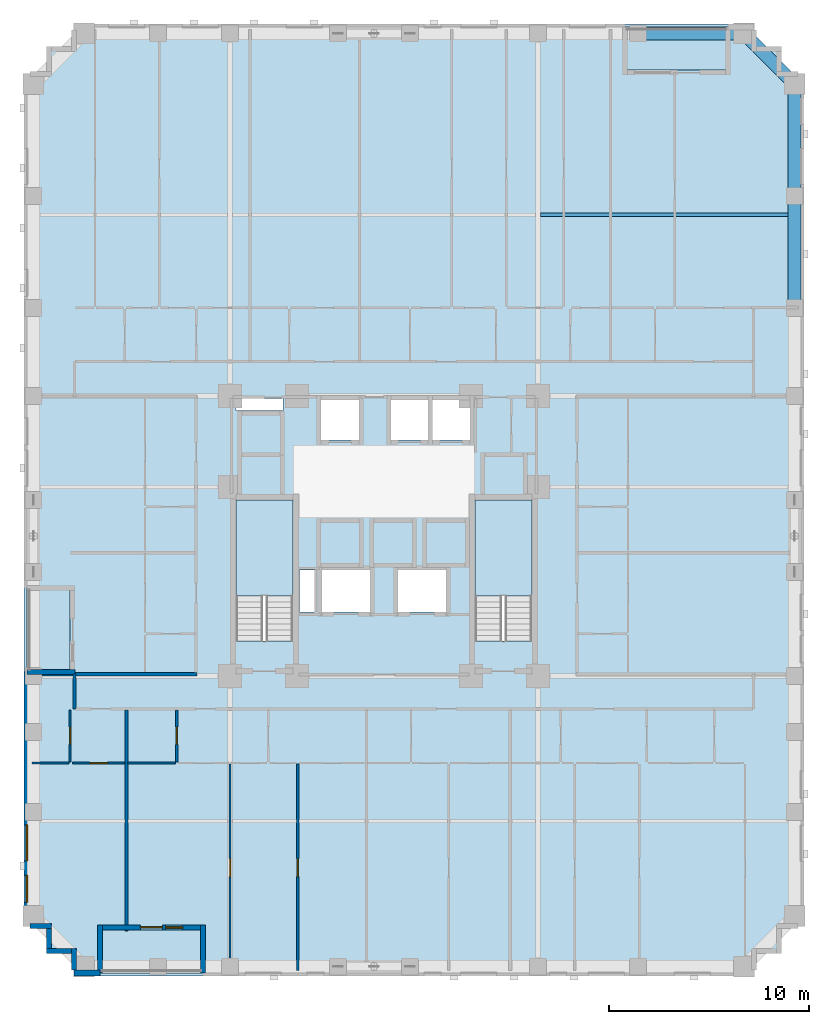
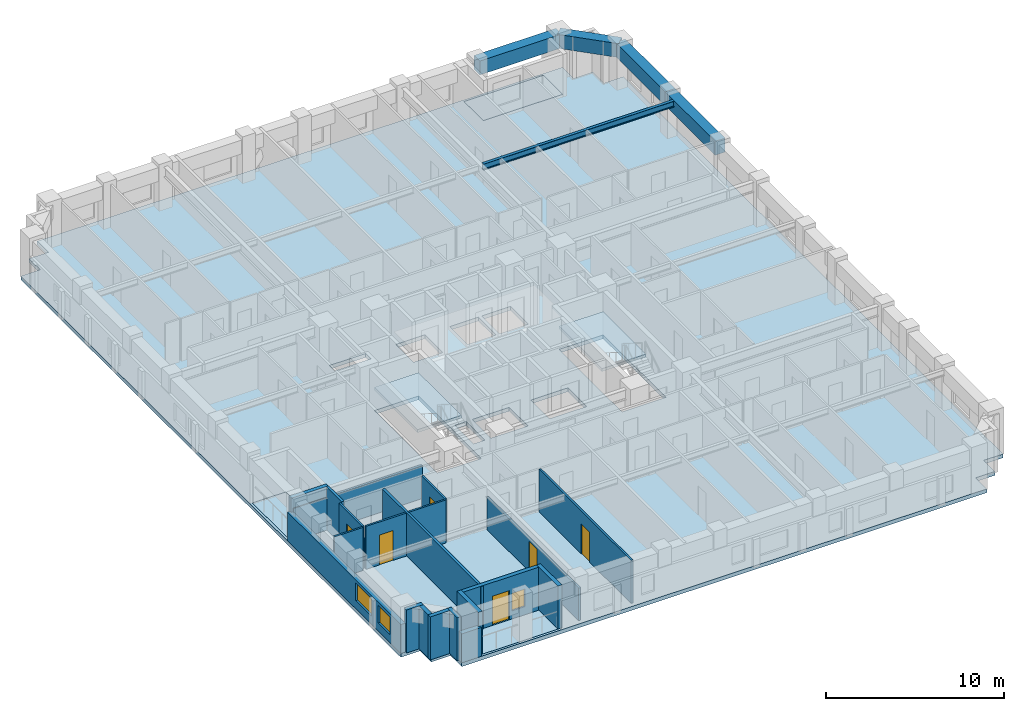
# One storey, part 2 of 14: 20 walls, 6 doors, 6 slabs, 5 beams, 3 windows, 9 openings, 2 elements without a shape of their own.
"""IFC4 building model written with IfcOpenShell, lengths in metres."""

from ifc_helpers import new_model, si_unit, derived_unit, direction, frame, frame_2d, origin, origin_2d, place, context, subcontext, project, spatial, polyline, rectangle, i_section, outline, extrude, material, layer, layer_set, material_profile, profile_set, type_object, element, fill, aggregate, save


model = new_model("IFC4")

# Units and contexts
model_context = context("Model", 3, precision=1e-05, world=origin(), true_north=direction((0.0, 1.0)))
body_context = subcontext(model_context, "Body", "Model", "MODEL_VIEW")
ifc_project = project(units=[si_unit("LENGTHUNIT", "METRE"), si_unit("AREAUNIT", "SQUARE_METRE"), si_unit("VOLUMEUNIT", "CUBIC_METRE"), si_unit("PLANEANGLEUNIT", "RADIAN"), si_unit("MASSUNIT", "GRAM", prefix="KILO"), derived_unit("THERMALTRANSMITTANCEUNIT", [(si_unit("MASSUNIT", "GRAM", prefix="KILO"), 1), (si_unit("TIMEUNIT", "SECOND"), -3), (si_unit("THERMODYNAMICTEMPERATUREUNIT", "KELVIN"), -1)])], contexts=[model_context])

# Site, building, storey
site_placement = place(None, origin())
site = spatial("IfcSite", under=ifc_project, at=site_placement, CompositionType="ELEMENT")
building_placement = place(site_placement, origin())
building = spatial("IfcBuilding", under=site, at=building_placement, Name="Korrvale Station Residences", CompositionType="ELEMENT")
storey_placement = place(building_placement, frame((0.0, 0.0, 54.60009765625)))
storey = spatial("IfcBuildingStorey", under=building, at=storey_placement, Name="L14", CompositionType="ELEMENT", Elevation=54.60009765625)

# Beams
ifc_material_1 = material(Name="Steel S355", Category="steel")
ifc_material_profile_1 = material_profile(ifc_material_1, i_section(OverallWidth=0.180908203125, OverallDepth=0.4169921875, WebThickness=0.010986328125, FlangeThickness=0.018310546875, FilletRadius=0.01611328125, at=origin_2d()), Name="W410x85")
ifc_profile_set_1 = profile_set([ifc_material_profile_1], Name="Steel S355")
beam_type_1 = type_object("IfcBeamType", Name="BM-JST-W410x85-S355", PredefinedType="JOIST", material=ifc_profile_set_1)
beam_1_placement = place(storey_placement, frame((33.327880859375, 38.06005859375, 2.7314453125), z_axis=(1.0, 0.0, 0.0), x_axis=(0.0, 1.0, 0.0)))
element("IfcBeam", 1, at=beam_1_placement, inside=storey, type_object=beam_type_1, Name="L14 Floor Framing Joist 06", PredefinedType="JOIST", context=body_context, shape_type="SweptSolid", body=[
    extrude(i_section(OverallWidth=0.180908203125, OverallDepth=0.4169921875, WebThickness=0.010986328125, FlangeThickness=0.018310546875, FilletRadius=0.01611328125, at=origin_2d()), origin(), (0.0, 0.0, 1.0), 12.3671875),
])
ifc_material_2 = material(Name="Concrete C70/85", Category="concrete")
ifc_material_profile_2 = material_profile(ifc_material_2, rectangle(XDim=0.64990234375, YDim=0.949951171875, at=origin_2d()), Name="RCB650x950")
ifc_profile_set_2 = profile_set([ifc_material_profile_2], Name="Concrete C70/85")
beam_type_2 = type_object("IfcBeamType", Name="BM-SPB-RCB650x950-C7085", PredefinedType="SPANDREL", material=ifc_profile_set_2)
beam_2_placement = place(storey_placement, frame((38.199951171875, 47.1201171875, 2.46484375), z_axis=(1.0, 0.0, 0.0), x_axis=(0.0, 1.0, 0.0)))
element("IfcBeam", 2, at=beam_2_placement, inside=storey, type_object=beam_type_2, Name="L14 North Tube Spandrel 14", PredefinedType="SPANDREL", context=body_context, shape_type="SweptSolid", body=[
    extrude(rectangle(XDim=0.64990234375, YDim=0.949951171875, at=origin_2d()), origin(), (0.0, 0.0, 1.0), 5.300048828125),
])
for number, where, z_axis, x_axis, name in (
    (3, (46.02001953125, 33.39990234375, 2.46484375), (0.0, 1.0, 0.0), (-1.0, 0.0, 0.0), "L14 East Tube Spandrel 31"),
    (4, (46.02001953125, 39.0, 2.46484375), (0.0, 1.0, 0.0), (-1.0, 0.0, 0.0), "L14 East Tube Spandrel 32"),
):
    element("IfcBeam", number, at=place(storey_placement, frame(where, z_axis=z_axis, x_axis=x_axis)), inside=storey, type_object=beam_type_2, Name=name, PredefinedType="SPANDREL", context=body_context, shape_type="SweptSolid", body=[
        extrude(rectangle(XDim=0.64990234375, YDim=0.949951171875, at=origin_2d()), origin(), (0.0, 0.0, 1.0), 5.60009765625),
    ])
beam_3_placement = place(storey_placement, frame((43.5, 47.1201171875, 2.46484375), z_axis=(0.707106781187, -0.707106781187, 0.0), x_axis=(0.707106781187, 0.707106781187, 0.0)))
element("IfcBeam", 5, at=beam_3_placement, inside=storey, type_object=beam_type_2, Name="L14 Serrated Corner Spandrel 35", PredefinedType="SPANDREL", context=body_context, shape_type="SweptSolid", body=[
    extrude(rectangle(XDim=0.64990234375, YDim=0.949951171875, at=origin_2d()), origin(), (0.0, 0.0, 1.0), 3.56396484375),
])

# Slabs
ifc_material_3 = material(Name="Concrete C50/60", Category="concrete")
ifc_layer_1 = layer(ifc_material_3, 0.219970703125, Name="Concrete C50/60")
ifc_layer_set_1 = layer_set([ifc_layer_1], Name="Concrete C50/60")
slab_type_1 = type_object("IfcSlabType", Name="SLB-BAL-220", PredefinedType="FLOOR", material=ifc_layer_set_1)
slab_1_placement = place(storey_placement, frame((0.0, 0.0, -0.22021484375)))
element("IfcSlab", 6, at=slab_1_placement, inside=storey, type_object=slab_type_1, Name="L14 Recessed Loggia Balcony Slab BAL-L14-S1", PredefinedType="FLOOR", context=body_context, shape_type="SweptSolid", body=[
    extrude(outline(polyline([(11.300048828125, 0.14990234375), (16.449951171875, 0.14990234375), (16.449951171875, 2.300048828125), (11.300048828125, 2.300048828125), (11.300048828125, 0.14990234375)])), origin(), (0.0, 0.0, 1.0), 0.22021484375),
])
slab_2_placement = place(storey_placement, frame((0.0, 0.0, -0.22021484375)))
element("IfcSlab", 7, at=slab_2_placement, inside=storey, type_object=slab_type_1, Name="L14 Recessed Loggia Balcony Slab BAL-L14-N1", PredefinedType="FLOOR", context=body_context, shape_type="SweptSolid", body=[
    extrude(outline(polyline([(37.550048828125, 45.300048828125), (42.699951171875, 45.300048828125), (42.699951171875, 47.449951171875), (37.550048828125, 47.449951171875), (37.550048828125, 45.300048828125)])), origin(), (0.0, 0.0, 1.0), 0.22021484375),
])
slab_3_placement = place(storey_placement, frame((0.0, 0.0, -0.22021484375)))
element("IfcSlab", 8, at=slab_3_placement, inside=storey, type_object=slab_type_1, Name="L14 Recessed Loggia Balcony Slab BAL-L14-W1", PredefinedType="FLOOR", context=body_context, shape_type="SweptSolid", body=[
    extrude(outline(polyline([(7.64990234375, 15.199951171875), (9.800048828125, 15.199951171875), (9.800048828125, 19.39990234375), (7.64990234375, 19.39990234375), (7.64990234375, 15.199951171875)])), origin(), (0.0, 0.0, 1.0), 0.22021484375),
])
ifc_layer_2 = layer(ifc_material_3, 0.260009765625, Name="Concrete C50/60")
ifc_layer_set_2 = layer_set([ifc_layer_2], Name="Concrete C50/60")
slab_type_2 = type_object("IfcSlabType", Name="SLB-FLR-260", PredefinedType="FLOOR", material=ifc_layer_set_2)
slab_4_placement = place(storey_placement, frame((0.0, 0.0, -0.260009765625)))
element("IfcSlab", 9, at=slab_4_placement, inside=storey, type_object=slab_type_2, Name="L14 Suspended Structural Floor Slab", PredefinedType="FLOOR", context=body_context, shape_type="SweptSolid", body=[
    extrude(outline(polyline([(10.0, 0.0), (44.0, 0.0), (44.0, 1.25), (45.25, 1.25), (45.25, 2.5), (46.5, 2.5), (46.5, 45.10009765625), (45.25, 45.10009765625), (45.25, 46.35009765625), (44.0, 46.35009765625), (44.0, 47.60009765625), (10.0, 47.60009765625), (10.0, 46.35009765625), (8.75, 46.35009765625), (8.75, 45.10009765625), (7.5, 45.10009765625), (7.5, 2.5), (8.75, 2.5), (8.75, 1.25), (10.0, 1.25), (10.0, 0.0)]), holes=[polyline([(20.949951171875, 16.751953125), (20.949951171875, 23.800048828125), (18.10009765625, 23.800048828125), (18.10009765625, 16.751953125), (20.949951171875, 16.751953125)]), polyline([(32.89990234375, 16.751953125), (32.89990234375, 23.800048828125), (30.050048828125, 23.800048828125), (30.050048828125, 16.751953125), (32.89990234375, 16.751953125)]), polyline([(22.35009765625, 26.800048828125), (24.25, 26.800048828125), (24.25, 28.800048828125), (22.35009765625, 28.800048828125), (22.35009765625, 26.800048828125)]), polyline([(25.85009765625, 26.800048828125), (27.7099609375, 26.800048828125), (27.7099609375, 28.800048828125), (25.85009765625, 28.800048828125), (25.85009765625, 26.800048828125)]), polyline([(27.929931640625, 26.800048828125), (29.7900390625, 26.800048828125), (29.7900390625, 28.800048828125), (27.929931640625, 28.800048828125), (27.929931640625, 26.800048828125)]), polyline([(22.39990234375, 18.199951171875), (24.800048828125, 18.199951171875), (24.800048828125, 20.300048828125), (22.39990234375, 20.300048828125), (22.39990234375, 18.199951171875)]), polyline([(26.199951171875, 18.199951171875), (28.60009765625, 18.199951171875), (28.60009765625, 20.300048828125), (26.199951171875, 20.300048828125), (26.199951171875, 18.199951171875)]), polyline([(18.10009765625, 28.280029296875), (20.449951171875, 28.280029296875), (20.449951171875, 28.8798828125), (18.10009765625, 28.8798828125), (18.10009765625, 28.280029296875)]), polyline([(21.280029296875, 18.199951171875), (22.02001953125, 18.199951171875), (22.02001953125, 20.300048828125), (21.280029296875, 20.300048828125), (21.280029296875, 18.199951171875)]), polyline([(11.300048828125, 0.14990234375), (16.449951171875, 0.14990234375), (16.449951171875, 2.300048828125), (11.300048828125, 2.300048828125), (11.300048828125, 0.14990234375)]), polyline([(37.550048828125, 45.300048828125), (42.699951171875, 45.300048828125), (42.699951171875, 47.449951171875), (37.550048828125, 47.449951171875), (37.550048828125, 45.300048828125)]), polyline([(7.64990234375, 15.199951171875), (9.800048828125, 15.199951171875), (9.800048828125, 19.39990234375), (7.64990234375, 19.39990234375), (7.64990234375, 15.199951171875)])]), origin(), (0.0, 0.0, 1.0), 0.260009765625),
])

# Stair, slab
stair_type = type_object("IfcStairType", Name="STR-DL-1350-18R-1778", PredefinedType="HALF_TURN_STAIR", material=ifc_material_3)
stair_1_placement = place(storey_placement, origin())
stair_1 = element("IfcStair", 10, at=stair_1_placement, inside=storey, type_object=stair_type, Name="L14 Exit Stair 1", PredefinedType="HALF_TURN_STAIR")
ifc_layer_3 = layer(ifc_material_3, 0.199951171875, Name="Concrete C50/60")
ifc_layer_set_3 = layer_set([ifc_layer_3], Name="Concrete C50/60")
slab_type_3 = type_object("IfcSlabType", Name="SLB-LND-200", PredefinedType="LANDING", material=ifc_layer_set_3)
slab_5_placement = place(storey_placement, frame((0.0, 0.0, 1.39990234375)))
slab_5 = element("IfcSlab", 11, at=slab_5_placement, type_object=slab_type_3, Name="ST-1 landing 1", PredefinedType="LANDING", context=body_context, shape_type="SweptSolid", body=[
    extrude(outline(polyline([(20.949951171875, 18.989990234375), (20.949951171875, 23.800048828125), (18.10009765625, 23.800048828125), (18.10009765625, 18.989990234375), (20.949951171875, 18.989990234375)])), origin(), (0.0, 0.0, 1.0), 0.199951171875),
])
aggregate(stair_1, [slab_5])

stair_2_placement = place(storey_placement, origin())
stair_2 = element("IfcStair", 12, at=stair_2_placement, inside=storey, type_object=stair_type, Name="L14 Exit Stair 2", PredefinedType="HALF_TURN_STAIR")
slab_6_placement = place(storey_placement, frame((0.0, 0.0, 1.39990234375)))
slab_6 = element("IfcSlab", 13, at=slab_6_placement, type_object=slab_type_3, Name="ST-2 landing 1", PredefinedType="LANDING", context=body_context, shape_type="SweptSolid", body=[
    extrude(outline(polyline([(32.89990234375, 18.989990234375), (32.89990234375, 23.800048828125), (30.050048828125, 23.800048828125), (30.050048828125, 18.989990234375), (32.89990234375, 18.989990234375)])), origin(), (0.0, 0.0, 1.0), 0.199951171875),
])
aggregate(stair_2, [slab_6])

# Wall
ifc_material_4 = material(Name="Precast concrete C45/55", Category="concrete")
ifc_layer_4 = layer(ifc_material_4, 0.260009765625, Name="Precast concrete C45/55")
ifc_layer_set_4 = layer_set([ifc_layer_4], Name="Precast concrete C45/55")
wall_type_1 = type_object("IfcWallType", Name="WAL-EXT-LOG260", PredefinedType="SOLIDWALL", material=ifc_layer_set_4)
wall_1_placement = place(storey_placement, frame((16.449951171875, 0.159912109375, 0.0), z_axis=(0.0, 0.0, 1.0), x_axis=(0.0, 1.0, 0.0)))
element("IfcWall", 14, at=wall_1_placement, inside=storey, type_object=wall_type_1, Name="L14 Recessed Loggia Wall BAL-L14-S1-L", PredefinedType="SOLIDWALL", context=body_context, shape_type="SweptSolid", body=[
    extrude(rectangle(XDim=2.400146484375, YDim=0.260009765625, at=frame_2d((1.2001953125, 0.0))), origin(), (0.0, 0.0, 1.0), 2.93994140625),
])

# Wall, openings, door, window
wall_2_placement = place(storey_placement, frame((16.31591796875, 2.429931640625, 0.0), z_axis=(0.0, 0.0, 1.0), x_axis=(-1.0, 0.0, 0.0)))
wall_2 = element("IfcWall", 15, at=wall_2_placement, inside=storey, type_object=wall_type_1, Name="L14 Recessed Loggia Wall BAL-L14-S1-B", PredefinedType="SOLIDWALL", context=body_context, shape_type="SweptSolid", body=[
    extrude(rectangle(XDim=4.8818359375, YDim=0.260009765625, at=frame_2d((2.44091796875, 0.0))), origin(), (0.0, 0.0, 1.0), 2.93994140625),
])
opening_1_placement = place(wall_2_placement, frame((1.89111328125, 0.0, 0.0)))
opening_1 = element("IfcOpeningElement", 16, at=opening_1_placement, cuts=wall_2, Name="Opening BD-01", PredefinedType="OPENING", context=body_context, shape_type="SweptSolid", body=[
    extrude(rectangle(XDim=1.10009765625, YDim=2.0, at=frame_2d((0.550048828125, 1.0))), frame((0.0, 0.14013671875, 0.0), z_axis=(0.0, -1.0, 0.0), x_axis=(1.0, 0.0, 0.0)), (0.0, 0.0, 1.0), 0.280029296875),
])
opening_2_placement = place(wall_2_placement, frame((0.881103515625, 0.0, 0.550048828125)))
opening_2 = element("IfcOpeningElement", 17, at=opening_2_placement, cuts=wall_2, Name="Opening W-11", PredefinedType="OPENING", context=body_context, shape_type="SweptSolid", body=[
    extrude(rectangle(XDim=0.85009765625, YDim=1.199951171875, at=frame_2d((0.425048828125, 0.60009765625))), frame((0.0, 0.14013671875, 0.0), z_axis=(0.0, -1.0, 0.0), x_axis=(1.0, 0.0, 0.0)), (0.0, 0.0, 1.0), 0.280029296875),
])
ifc_material_5 = material(Name="Exterior thermally broken aluminium glazed balcony door", Category="aluminium")
door_type_1 = type_object("IfcDoorType", Name="DR-EXT-BAL", OperationType="NOTDEFINED", PredefinedType="DOOR", material=ifc_material_5)
door_1_placement = place(opening_1_placement, origin())
door_1 = element("IfcDoor", 18, at=door_1_placement, inside=storey, type_object=door_type_1, Name="L14 Loggia Balcony Door BAL-L14-S1", OperationType="SINGLE_SWING_LEFT", OverallHeight=2.0, OverallWidth=1.10009765625, PredefinedType="DOOR", context=body_context, shape_type="SweptSolid", body=[
    extrude(rectangle(XDim=1.10009765625, YDim=2.0, at=frame_2d((0.550048828125, 1.0))), frame((0.0, 0.02490234375, 0.0), z_axis=(0.0, -1.0, 0.0), x_axis=(1.0, 0.0, 0.0)), (0.0, 0.0, 1.0), 0.050048828125),
])
fill(opening_1, door_1)
ifc_material_6 = material(Name="Thermally broken aluminium frame with triple low-e glazing", Category="aluminium")
window_type_1 = type_object("IfcWindowType", Name="WIN-W11", PartitioningType="SINGLE_PANEL", PredefinedType="WINDOW", material=ifc_material_6)
window_1_placement = place(opening_2_placement, origin())
window_1 = element("IfcWindow", 19, at=window_1_placement, inside=storey, type_object=window_type_1, Name="L14 Punched Window 03", OverallHeight=1.199951171875, OverallWidth=0.85009765625, PartitioningType="SINGLE_PANEL", PredefinedType="WINDOW", context=body_context, shape_type="SweptSolid", body=[
    extrude(rectangle(XDim=0.85009765625, YDim=1.199951171875, at=frame_2d((0.425048828125, 0.60009765625))), frame((0.0, 0.030029296875, 0.0), z_axis=(0.0, -1.0, 0.0), x_axis=(1.0, 0.0, 0.0)), (0.0, 0.0, 1.0), 0.06005859375),
])
fill(opening_2, window_1)

# Walls
for number, where, z_axis, x_axis, name in (
    (20, (11.300048828125, 2.56005859375, 0.0), (0.0, 0.0, 1.0), (0.0, -1.0, 0.0), "L14 Recessed Loggia Wall BAL-L14-S1-R"),
    (21, (7.659912109375, 15.199951171875, 0.0), (0.0, 0.0, 1.0), (1.0, 0.0, 0.0), "L14 Recessed Loggia Wall BAL-L14-W1-L"),
):
    element("IfcWall", number, at=place(storey_placement, frame(where, z_axis=z_axis, x_axis=x_axis)), inside=storey, type_object=wall_type_1, Name=name, PredefinedType="SOLIDWALL", context=body_context, shape_type="SweptSolid", body=[
        extrude(rectangle(XDim=2.400146484375, YDim=0.260009765625, at=frame_2d((1.2001953125, 0.0))), origin(), (0.0, 0.0, 1.0), 2.93994140625),
    ])
wall_3_placement = place(storey_placement, frame((10.0, 0.302001953125, 0.0), z_axis=(0.0, 0.0, 1.0), x_axis=(0.0, 1.0, 0.0)))
element("IfcWall", 22, at=wall_3_placement, inside=storey, type_object=wall_type_1, Name="L14 Serrated Corner Precast Step SW-1", PredefinedType="SOLIDWALL", context=body_context, shape_type="SweptSolid", body=[
    extrude(rectangle(XDim=1.077880859375, YDim=0.260009765625, at=frame_2d((0.5390625, 0.0))), origin(), (0.0, 0.0, 1.0), 2.93994140625),
])
wall_4_placement = place(storey_placement, frame((9.867919921875, 1.25, 0.0), z_axis=(0.0, 0.0, 1.0), x_axis=(-1.0, 0.0, 0.0)))
element("IfcWall", 23, at=wall_4_placement, inside=storey, type_object=wall_type_1, Name="L14 Serrated Corner Precast Step SW-2", PredefinedType="SOLIDWALL", context=body_context, shape_type="SweptSolid", body=[
    extrude(rectangle(XDim=1.247802734375, YDim=0.260009765625, at=frame_2d((0.6240234375, 0.0))), origin(), (0.0, 0.0, 1.0), 2.93994140625),
])
wall_5_placement = place(storey_placement, frame((8.75, 1.382080078125, 0.0), z_axis=(0.0, 0.0, 1.0), x_axis=(0.0, 1.0, 0.0)))
element("IfcWall", 24, at=wall_5_placement, inside=storey, type_object=wall_type_1, Name="L14 Serrated Corner Precast Step SW-3", PredefinedType="SOLIDWALL", context=body_context, shape_type="SweptSolid", body=[
    extrude(rectangle(XDim=0.98583984375, YDim=0.260009765625, at=frame_2d((0.492919921875, 0.0))), origin(), (0.0, 0.0, 1.0), 2.93994140625),
])
wall_6_placement = place(storey_placement, frame((8.8798828125, 2.5, 0.0), z_axis=(0.0, 0.0, 1.0), x_axis=(-1.0, 0.0, 0.0)))
element("IfcWall", 25, at=wall_6_placement, inside=storey, type_object=wall_type_1, Name="L14 Serrated Corner Precast Step SW-4", PredefinedType="SOLIDWALL", context=body_context, shape_type="SweptSolid", body=[
    extrude(rectangle(XDim=1.077880859375, YDim=0.260009765625, at=frame_2d((0.5390625, 0.0))), origin(), (0.0, 0.0, 1.0), 2.93994140625),
])
ifc_layer_5 = layer(ifc_material_4, 0.300048828125, Name="Precast concrete C45/55")
ifc_layer_set_5 = layer_set([ifc_layer_5], Name="Precast concrete C45/55")
wall_type_2 = type_object("IfcWallType", Name="WAL-EXT-PC300", PredefinedType="SOLIDWALL", material=ifc_layer_set_5)
wall_7_placement = place(storey_placement, frame((11.300048828125, 0.14990234375, 0.0), z_axis=(0.0, 0.0, 1.0), x_axis=(-1.0, 0.0, 0.0)))
element("IfcWall", 26, at=wall_7_placement, inside=storey, type_object=wall_type_2, Name="L14 South Exterior Precast Wall 2", PredefinedType="SOLIDWALL", context=body_context, shape_type="SweptSolid", body=[
    extrude(rectangle(XDim=1.300048828125, YDim=0.300048828125, at=frame_2d((0.64990234375, 0.0))), origin(), (0.0, 0.0, 1.0), 1.974853515625),
])

# Wall, openings, windows
wall_8_placement = place(storey_placement, frame((7.64990234375, 2.5, 0.0), z_axis=(0.0, 0.0, 1.0), x_axis=(0.0, 1.0, 0.0)))
wall_8 = element("IfcWall", 27, at=wall_8_placement, inside=storey, type_object=wall_type_2, Name="L14 West Exterior Precast Wall 1", PredefinedType="SOLIDWALL", context=body_context, shape_type="SweptSolid", body=[
    extrude(rectangle(XDim=12.699951171875, YDim=0.300048828125, at=frame_2d((6.35009765625, 0.0))), origin(), (0.0, 0.0, 1.0), 1.974853515625),
])
opening_3_placement = place(wall_8_placement, frame((3.257080078125, 0.0, 0.550048828125)))
opening_3 = element("IfcOpeningElement", 28, at=opening_3_placement, cuts=wall_8, Name="Opening W-09", PredefinedType="OPENING", context=body_context, shape_type="SweptSolid", body=[
    extrude(rectangle(XDim=1.800048828125, YDim=1.199951171875, at=frame_2d((0.89990234375, 0.60009765625))), frame((0.0, 0.16015625, 0.0), z_axis=(0.0, -1.0, 0.0), x_axis=(1.0, 0.0, 0.0)), (0.0, 0.0, 1.0), 0.320068359375),
])
opening_4_placement = place(wall_8_placement, frame((1.18505859375, 0.0, 0.550048828125)))
opening_4 = element("IfcOpeningElement", 29, at=opening_4_placement, cuts=wall_8, Name="Opening W-10", PredefinedType="OPENING", context=body_context, shape_type="SweptSolid", body=[
    extrude(rectangle(XDim=1.35009765625, YDim=1.199951171875, at=frame_2d((0.675048828125, 0.60009765625))), frame((0.0, 0.16015625, 0.0), z_axis=(0.0, -1.0, 0.0), x_axis=(1.0, 0.0, 0.0)), (0.0, 0.0, 1.0), 0.320068359375),
])
window_type_2 = type_object("IfcWindowType", Name="WIN-W09", PartitioningType="DOUBLE_PANEL_VERTICAL", PredefinedType="WINDOW", material=ifc_material_6)
window_2_placement = place(opening_3_placement, origin())
window_2 = element("IfcWindow", 30, at=window_2_placement, inside=storey, type_object=window_type_2, Name="L14 Punched Window 01", OverallHeight=1.199951171875, OverallWidth=1.800048828125, PartitioningType="DOUBLE_PANEL_VERTICAL", PredefinedType="WINDOW", context=body_context, shape_type="SweptSolid", body=[
    extrude(rectangle(XDim=1.800048828125, YDim=1.199951171875, at=frame_2d((0.89990234375, 0.60009765625))), frame((0.0, 0.030029296875, 0.0), z_axis=(0.0, -1.0, 0.0), x_axis=(1.0, 0.0, 0.0)), (0.0, 0.0, 1.0), 0.06005859375),
])
fill(opening_3, window_2)
window_type_3 = type_object("IfcWindowType", Name="WIN-W10", PartitioningType="SINGLE_PANEL", PredefinedType="WINDOW", material=ifc_material_6)
window_3_placement = place(opening_4_placement, origin())
window_3 = element("IfcWindow", 31, at=window_3_placement, inside=storey, type_object=window_type_3, Name="L14 Punched Window 02", OverallHeight=1.199951171875, OverallWidth=1.35009765625, PartitioningType="SINGLE_PANEL", PredefinedType="WINDOW", context=body_context, shape_type="SweptSolid", body=[
    extrude(rectangle(XDim=1.35009765625, YDim=1.199951171875, at=frame_2d((0.675048828125, 0.60009765625))), frame((0.0, 0.030029296875, 0.0), z_axis=(0.0, -1.0, 0.0), x_axis=(1.0, 0.0, 0.0)), (0.0, 0.0, 1.0), 0.06005859375),
])
fill(opening_4, window_3)

# Wall, opening, door
ifc_material_7 = material(Name="Acoustic steel-stud gypsum board partition", Category="steel")
ifc_layer_6 = layer(ifc_material_7, 0.1201171875, Name="Acoustic steel-stud gypsum board partition")
ifc_layer_set_6 = layer_set([ifc_layer_6], Name="Acoustic steel-stud gypsum board partition")
wall_type_3 = type_object("IfcWallType", Name="WAL-PART-125", PredefinedType="PARTITIONING", material=ifc_layer_set_6)
wall_9_placement = place(storey_placement, frame((9.800048828125, 10.7099609375, 0.0), z_axis=(0.0, 0.0, 1.0), x_axis=(0.0, 1.0, 0.0)))
wall_9 = element("IfcWall", 32, at=wall_9_placement, inside=storey, type_object=wall_type_3, Name="L14 Suite Partition U01-V01", PredefinedType="PARTITIONING", context=body_context, shape_type="SweptSolid", body=[
    extrude(rectangle(XDim=2.60009765625, YDim=0.1201171875, at=frame_2d((1.300048828125, 0.0))), origin(), (0.0, 0.0, 1.0), 2.93994140625),
])
opening_5_placement = place(wall_9_placement, frame((0.8701171875, 0.0, 0.0)))
opening_5 = element("IfcOpeningElement", 33, at=opening_5_placement, cuts=wall_9, Name="Opening DB-860", PredefinedType="OPENING", context=body_context, shape_type="SweptSolid", body=[
    extrude(rectangle(XDim=0.860107421875, YDim=2.050048828125, at=frame_2d((0.43017578125, 1.02490234375))), frame((0.0, 0.070068359375, 0.0), z_axis=(0.0, -1.0, 0.0), x_axis=(1.0, 0.0, 0.0)), (0.0, 0.0, 1.0), 0.14013671875),
])
ifc_material_8 = material(Name="Moisture-resistant solid-core bathroom door", Category="timber")
door_type_2 = type_object("IfcDoorType", Name="DR-BATH-860", OperationType="NOTDEFINED", PredefinedType="DOOR", material=ifc_material_8)
door_2_placement = place(opening_5_placement, origin())
door_2 = element("IfcDoor", 34, at=door_2_placement, inside=storey, type_object=door_type_2, Name="L14 Studio Apartment L14-U01 Bathroom Door", OperationType="SINGLE_SWING_LEFT", OverallHeight=2.050048828125, OverallWidth=0.860107421875, PredefinedType="DOOR", context=body_context, shape_type="SweptSolid", body=[
    extrude(rectangle(XDim=0.860107421875, YDim=2.050048828125, at=frame_2d((0.43017578125, 1.02490234375))), frame((0.0, 0.02490234375, 0.0), z_axis=(0.0, -1.0, 0.0), x_axis=(1.0, 0.0, 0.0)), (0.0, 0.0, 1.0), 0.050048828125),
])
fill(opening_5, door_2)

# Wall
wall_10_placement = place(storey_placement, frame((7.889892578125, 10.64990234375, 0.0), z_axis=(0.0, 0.0, 1.0), x_axis=(1.0, 0.0, 0.0)))
element("IfcWall", 35, at=wall_10_placement, inside=storey, type_object=wall_type_3, Name="L14 Suite Partition U01-H02", PredefinedType="PARTITIONING", context=body_context, shape_type="SweptSolid", body=[
    extrude(rectangle(XDim=1.85009765625, YDim=0.1201171875, at=frame_2d((0.925048828125, 0.0))), origin(), (0.0, 0.0, 1.0), 2.93994140625),
])

# Wall, opening, door
wall_11_placement = place(storey_placement, frame((9.929931640625, 10.64990234375, 0.0), z_axis=(0.0, 0.0, 1.0), x_axis=(1.0, 0.0, 0.0)))
wall_11 = element("IfcWall", 36, at=wall_11_placement, inside=storey, type_object=wall_type_3, Name="L14 Suite Partition U01-H12", PredefinedType="PARTITIONING", context=body_context, shape_type="SweptSolid", body=[
    extrude(rectangle(XDim=2.59716796875, YDim=0.1201171875, at=frame_2d((1.298583984375, 0.0))), origin(), (0.0, 0.0, 1.0), 2.93994140625),
])
opening_6_placement = place(wall_11_placement, frame((0.847900390625, 0.0, 0.0)))
opening_6 = element("IfcOpeningElement", 37, at=opening_6_placement, cuts=wall_11, Name="Opening DI-900", PredefinedType="OPENING", context=body_context, shape_type="SweptSolid", body=[
    extrude(rectangle(XDim=0.89990234375, YDim=2.050048828125, at=frame_2d((0.449951171875, 1.02490234375))), frame((0.0, 0.070068359375, 0.0), z_axis=(0.0, -1.0, 0.0), x_axis=(1.0, 0.0, 0.0)), (0.0, 0.0, 1.0), 0.14013671875),
])
ifc_material_9 = material(Name="Painted solid-core timber interior room door", Category="wood")
door_type_3 = type_object("IfcDoorType", Name="DR-INT-900", OperationType="NOTDEFINED", PredefinedType="DOOR", material=ifc_material_9)
door_3_placement = place(opening_6_placement, origin())
door_3 = element("IfcDoor", 38, at=door_3_placement, inside=storey, type_object=door_type_3, Name="L14 Studio Apartment L14-U01 Kitchen Door", OperationType="SINGLE_SWING_RIGHT", OverallHeight=2.050048828125, OverallWidth=0.89990234375, PredefinedType="DOOR", context=body_context, shape_type="SweptSolid", body=[
    extrude(rectangle(XDim=0.89990234375, YDim=2.050048828125, at=frame_2d((0.449951171875, 1.02490234375))), frame((0.0, 0.02490234375, 0.0), z_axis=(0.0, -1.0, 0.0), x_axis=(1.0, 0.0, 0.0)), (0.0, 0.0, 1.0), 0.050048828125),
])
fill(opening_6, door_3)

wall_12_placement = place(storey_placement, frame((15.14697265625, 10.7099609375, 0.0), z_axis=(0.0, 0.0, 1.0), x_axis=(0.0, 1.0, 0.0)))
wall_12 = element("IfcWall", 39, at=wall_12_placement, inside=storey, type_object=wall_type_3, Name="L14 Suite Partition U02-V01", PredefinedType="PARTITIONING", context=body_context, shape_type="SweptSolid", body=[
    extrude(rectangle(XDim=2.60009765625, YDim=0.1201171875, at=frame_2d((1.300048828125, 0.0))), origin(), (0.0, 0.0, 1.0), 2.93994140625),
])
opening_7_placement = place(wall_12_placement, frame((0.8701171875, 0.0, 0.0)))
opening_7 = element("IfcOpeningElement", 40, at=opening_7_placement, cuts=wall_12, Name="Opening DB-860", PredefinedType="OPENING", context=body_context, shape_type="SweptSolid", body=[
    extrude(rectangle(XDim=0.860107421875, YDim=2.050048828125, at=frame_2d((0.43017578125, 1.02490234375))), frame((0.0, 0.070068359375, 0.0), z_axis=(0.0, -1.0, 0.0), x_axis=(1.0, 0.0, 0.0)), (0.0, 0.0, 1.0), 0.14013671875),
])
door_4_placement = place(opening_7_placement, origin())
door_4 = element("IfcDoor", 41, at=door_4_placement, inside=storey, type_object=door_type_2, Name="L14 Apartment 2BR L14-U02 Bathroom Door", OperationType="SINGLE_SWING_LEFT", OverallHeight=2.050048828125, OverallWidth=0.860107421875, PredefinedType="DOOR", context=body_context, shape_type="SweptSolid", body=[
    extrude(rectangle(XDim=0.860107421875, YDim=2.050048828125, at=frame_2d((0.43017578125, 1.02490234375))), frame((0.0, 0.02490234375, 0.0), z_axis=(0.0, -1.0, 0.0), x_axis=(1.0, 0.0, 0.0)), (0.0, 0.0, 1.0), 0.050048828125),
])
fill(opening_7, door_4)

# Wall
wall_13_placement = place(storey_placement, frame((12.68701171875, 10.64990234375, 0.0), z_axis=(0.0, 0.0, 1.0), x_axis=(1.0, 0.0, 0.0)))
element("IfcWall", 42, at=wall_13_placement, inside=storey, type_object=wall_type_3, Name="L14 Suite Partition U02-H03", PredefinedType="PARTITIONING", context=body_context, shape_type="SweptSolid", body=[
    extrude(rectangle(XDim=2.39990234375, YDim=0.1201171875, at=frame_2d((1.199951171875, 0.0))), origin(), (0.0, 0.0, 1.0), 2.93994140625),
])

# Wall, opening, door
wall_14_placement = place(storey_placement, frame((17.800048828125, 0.280029296875, 0.0), z_axis=(0.0, 0.0, 1.0), x_axis=(0.0, 1.0, 0.0)))
wall_14 = element("IfcWall", 43, at=wall_14_placement, inside=storey, type_object=wall_type_3, Name="L14 Suite Partition U02-V34", PredefinedType="PARTITIONING", context=body_context, shape_type="SweptSolid", body=[
    extrude(rectangle(XDim=10.31005859375, YDim=0.1201171875, at=frame_2d((5.155029296875, 0.0))), origin(), (0.0, 0.0, 1.0), 2.23193359375),
])
opening_8_placement = place(wall_14_placement, frame((4.68994140625, 0.0, 0.0)))
opening_8 = element("IfcOpeningElement", 44, at=opening_8_placement, cuts=wall_14, Name="Opening DI-900", PredefinedType="OPENING", context=body_context, shape_type="SweptSolid", body=[
    extrude(rectangle(XDim=0.89990234375, YDim=2.050048828125, at=frame_2d((0.449951171875, 1.02490234375))), frame((0.0, 0.070068359375, 0.0), z_axis=(0.0, -1.0, 0.0), x_axis=(1.0, 0.0, 0.0)), (0.0, 0.0, 1.0), 0.14013671875),
])
door_5_placement = place(opening_8_placement, origin())
door_5 = element("IfcDoor", 45, at=door_5_placement, inside=storey, type_object=door_type_3, Name="L14 Apartment 2BR L14-U02 Living and Dining Room Door", OperationType="SINGLE_SWING_LEFT", OverallHeight=2.050048828125, OverallWidth=0.89990234375, PredefinedType="DOOR", context=body_context, shape_type="SweptSolid", body=[
    extrude(rectangle(XDim=0.89990234375, YDim=2.050048828125, at=frame_2d((0.449951171875, 1.02490234375))), frame((0.0, 0.02490234375, 0.0), z_axis=(0.0, -1.0, 0.0), x_axis=(1.0, 0.0, 0.0)), (0.0, 0.0, 1.0), 0.050048828125),
])
fill(opening_8, door_5)

wall_15_placement = place(storey_placement, frame((21.19091796875, 0.280029296875, 0.0), z_axis=(0.0, 0.0, 1.0), x_axis=(0.0, 1.0, 0.0)))
wall_15 = element("IfcWall", 46, at=wall_15_placement, inside=storey, type_object=wall_type_3, Name="L14 Suite Partition U02-V45", PredefinedType="PARTITIONING", context=body_context, shape_type="SweptSolid", body=[
    extrude(rectangle(XDim=10.31005859375, YDim=0.1201171875, at=frame_2d((5.155029296875, 0.0))), origin(), (0.0, 0.0, 1.0), 2.93994140625),
])
opening_9_placement = place(wall_15_placement, frame((4.68994140625, 0.0, 0.0)))
opening_9 = element("IfcOpeningElement", 47, at=opening_9_placement, cuts=wall_15, Name="Opening DI-900", PredefinedType="OPENING", context=body_context, shape_type="SweptSolid", body=[
    extrude(rectangle(XDim=0.89990234375, YDim=2.050048828125, at=frame_2d((0.449951171875, 1.02490234375))), frame((0.0, 0.070068359375, 0.0), z_axis=(0.0, -1.0, 0.0), x_axis=(1.0, 0.0, 0.0)), (0.0, 0.0, 1.0), 0.14013671875),
])
door_6_placement = place(opening_9_placement, origin())
door_6 = element("IfcDoor", 48, at=door_6_placement, inside=storey, type_object=door_type_3, Name="L14 Apartment 2BR L14-U02 Bedroom 1 Door", OperationType="SINGLE_SWING_RIGHT", OverallHeight=2.050048828125, OverallWidth=0.89990234375, PredefinedType="DOOR", context=body_context, shape_type="SweptSolid", body=[
    extrude(rectangle(XDim=0.89990234375, YDim=2.050048828125, at=frame_2d((0.449951171875, 1.02490234375))), frame((0.0, 0.02490234375, 0.0), z_axis=(0.0, -1.0, 0.0), x_axis=(1.0, 0.0, 0.0)), (0.0, 0.0, 1.0), 0.050048828125),
])
fill(opening_9, door_6)

# Walls
ifc_material_10 = material(Name="Fire-rated twin-stud gypsum and mineral wool shaftwall assembly", Category="gypsum")
ifc_layer_7 = layer(ifc_material_10, 0.159912109375, Name="Fire-rated twin-stud gypsum and mineral wool shaftwall assembly")
ifc_layer_set_7 = layer_set([ifc_layer_7], Name="Fire-rated twin-stud gypsum and mineral wool shaftwall assembly")
wall_type_4 = type_object("IfcWallType", Name="WAL-PART-200", PredefinedType="PARTITIONING", material=ifc_layer_set_7)
wall_16_placement = place(storey_placement, frame((10.02001953125, 13.35009765625, 0.0), z_axis=(0.0, 0.0, 1.0), x_axis=(0.0, 1.0, 0.0)))
element("IfcWall", 49, at=wall_16_placement, inside=storey, type_object=wall_type_4, Name="L14 Corridor South West Cap", PredefinedType="PARTITIONING", context=body_context, shape_type="SweptSolid", body=[
    extrude(rectangle(XDim=1.739990234375, YDim=0.159912109375, at=frame_2d((0.8701171875, 0.0))), origin(), (0.0, 0.0, 1.0), 2.93994140625),
])
wall_17_placement = place(storey_placement, frame((7.780029296875, 15.090087890625, 0.0), z_axis=(0.0, 0.0, 1.0), x_axis=(1.0, 0.0, 0.0)))
element("IfcWall", 50, at=wall_17_placement, inside=storey, type_object=wall_type_4, Name="L14 West Wing South Corridor Wall", PredefinedType="PARTITIONING", context=body_context, shape_type="SweptSolid", body=[
    extrude(rectangle(XDim=8.35986328125, YDim=0.159912109375, at=frame_2d((4.179931640625, 0.0))), origin(), (0.0, 0.0, 1.0), 2.23193359375),
])
wall_18_placement = place(storey_placement, frame((12.626953125, 2.260009765625, 0.0), z_axis=(0.0, 0.0, 1.0), x_axis=(0.0, 1.0, 0.0)))
element("IfcWall", 51, at=wall_18_placement, inside=storey, type_object=wall_type_4, Name="L14 Demising Wall U02-W", PredefinedType="PARTITIONING", context=body_context, shape_type="SweptSolid", body=[
    extrude(rectangle(XDim=11.050048828125, YDim=0.159912109375, at=frame_2d((5.52490234375, 0.0))), origin(), (0.0, 0.0, 1.0), 2.93994140625),
])

save(model, "model.ifc")
